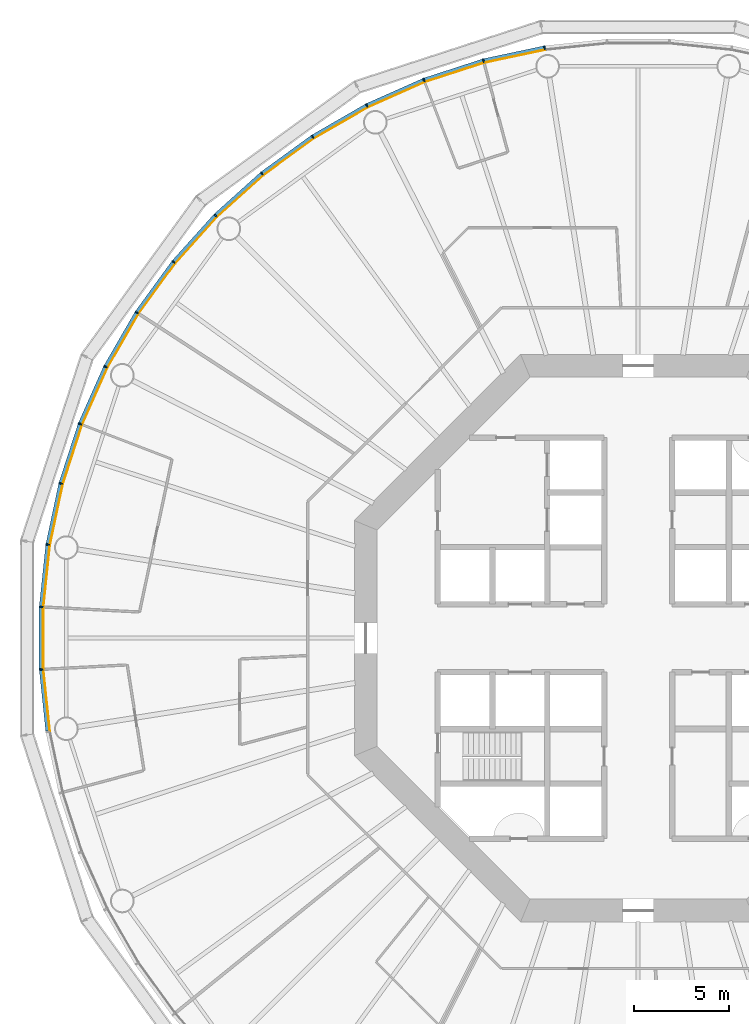
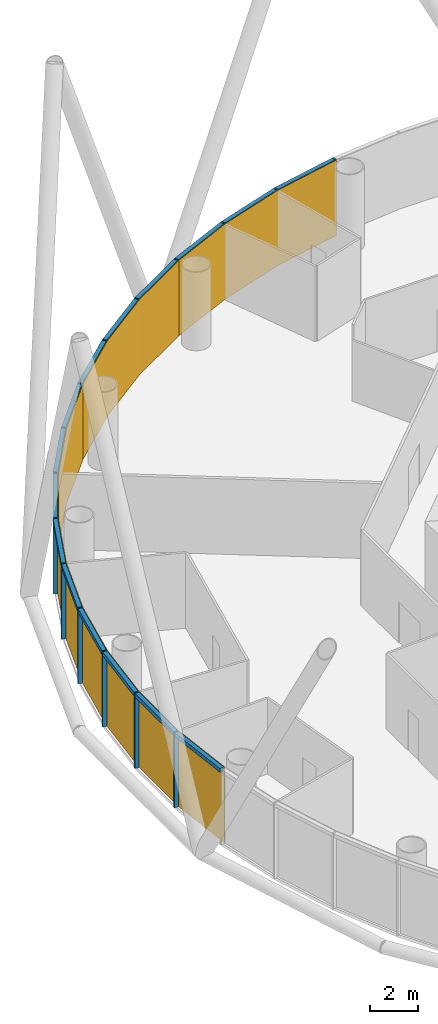
# One storey, part 10 of 13: 30 members, 5 curtain walls.
"""IFC4 building model written with IfcOpenShell, lengths in metres."""

from ifc_helpers import new_model, si_unit, direction, frame, origin, origin_2d, place, context, subcontext, project, spatial, polyline, rectangle, outline, extrude, material, layer, layer_set, material_profile, profile_set, type_object, element, aggregate, save


model = new_model("IFC4")

# Units and contexts
model_context = context("Model", 3, precision=1e-05, world=origin(), true_north=direction((0.0, 1.0)))
body_context = subcontext(model_context, "Body", "Model", "MODEL_VIEW")
ifc_project = project(units=[si_unit("LENGTHUNIT", "METRE"), si_unit("AREAUNIT", "SQUARE_METRE"), si_unit("VOLUMEUNIT", "CUBIC_METRE"), si_unit("PLANEANGLEUNIT", "RADIAN"), si_unit("MASSUNIT", "GRAM", prefix="KILO")], contexts=[model_context])

# Member
ifc_material_1 = material(Name="Anodised aluminium", Category="aluminium")
ifc_material_profile_1 = material_profile(ifc_material_1, rectangle(XDim=0.070068359375, YDim=0.199951171875, at=origin_2d()), Name="Mullion 70 x 200 mm anodised aluminium")
ifc_profile_set_1 = profile_set([ifc_material_profile_1], Name="Anodised aluminium")
member_type_1 = type_object("IfcMemberType", Name="Mullion 70 x 200 mm anodised aluminium", PredefinedType="MULLION", material=ifc_profile_set_1)
site_placement = place(None, origin())
building_placement = place(site_placement, origin())
storey_placement = place(building_placement, frame((0.0, 0.0, 96.0)))
member_1_placement = place(storey_placement, frame((85.056640625, 111.2109375, 0.0), z_axis=(0.0, 0.0, 1.0), x_axis=(-0.987688340595, -0.15643446504, 0.0)))
member_1 = element("IfcMember", 1, at=member_1_placement, type_object=member_type_1, Name="MULLION L21-15", PredefinedType="MULLION", context=body_context, shape_type="SweptSolid", body=[
    extrude(rectangle(XDim=0.070068359375, YDim=0.199951171875, at=origin_2d()), origin(), (0.0, 0.0, 1.0), 3.85009765625),
])

member_2_placement = place(storey_placement, frame((81.8212890625, 110.523193359375, 0.0), z_axis=(0.0, 0.0, 1.0), x_axis=(-0.965925826289, -0.258819045103, 0.0)))
member_2 = element("IfcMember", 2, at=member_2_placement, type_object=member_type_1, Name="MULLION L21-16", PredefinedType="MULLION", context=body_context, shape_type="SweptSolid", body=[
    extrude(rectangle(XDim=0.070068359375, YDim=0.199951171875, at=origin_2d()), origin(), (0.0, 0.0, 1.0), 3.85009765625),
])

member_3_placement = place(storey_placement, frame((78.675537109375, 109.501220703125, 0.0), z_axis=(0.0, 0.0, 1.0), x_axis=(-0.933580426497, -0.358367949545, 0.0)))
member_3 = element("IfcMember", 3, at=member_3_placement, type_object=member_type_1, Name="MULLION L21-17", PredefinedType="MULLION", context=body_context, shape_type="SweptSolid", body=[
    extrude(rectangle(XDim=0.070068359375, YDim=0.199951171875, at=origin_2d()), origin(), (0.0, 0.0, 1.0), 3.85009765625),
])

member_4_placement = place(storey_placement, frame((75.65380859375, 108.15576171875, 0.0), z_axis=(0.0, 0.0, 1.0), x_axis=(-0.891006524188, -0.45399049974, 0.0)))
member_4 = element("IfcMember", 4, at=member_4_placement, type_object=member_type_1, Name="MULLION L21-18", PredefinedType="MULLION", context=body_context, shape_type="SweptSolid", body=[
    extrude(rectangle(XDim=0.070068359375, YDim=0.199951171875, at=origin_2d()), origin(), (0.0, 0.0, 1.0), 3.85009765625),
])

member_5_placement = place(storey_placement, frame((72.789306640625, 106.501953125, 0.0), z_axis=(0.0, 0.0, 1.0), x_axis=(-0.838670567945, -0.544639035015, 0.0)))
member_5 = element("IfcMember", 5, at=member_5_placement, type_object=member_type_1, Name="MULLION L21-19", PredefinedType="MULLION", context=body_context, shape_type="SweptSolid", body=[
    extrude(rectangle(XDim=0.070068359375, YDim=0.199951171875, at=origin_2d()), origin(), (0.0, 0.0, 1.0), 3.85009765625),
])

member_6_placement = place(storey_placement, frame((70.113525390625, 104.557861328125, 0.0), z_axis=(0.0, 0.0, 1.0), x_axis=(-0.777145961457, -0.62932039105, 0.0)))
member_6 = element("IfcMember", 6, at=member_6_placement, type_object=member_type_1, Name="MULLION L21-20", PredefinedType="MULLION", context=body_context, shape_type="SweptSolid", body=[
    extrude(rectangle(XDim=0.070068359375, YDim=0.199951171875, at=origin_2d()), origin(), (0.0, 0.0, 1.0), 3.85009765625),
])

member_7_placement = place(storey_placement, frame((67.655517578125, 102.344482421875, 0.0), z_axis=(0.0, 0.0, 1.0), x_axis=(-0.707106781187, -0.707106781187, 0.0)))
member_7 = element("IfcMember", 7, at=member_7_placement, type_object=member_type_1, Name="MULLION L21-21", PredefinedType="MULLION", context=body_context, shape_type="SweptSolid", body=[
    extrude(rectangle(XDim=0.070068359375, YDim=0.199951171875, at=origin_2d()), origin(), (0.0, 0.0, 1.0), 3.85009765625),
])

member_8_placement = place(storey_placement, frame((65.442138671875, 99.886474609375, 0.0), z_axis=(0.0, 0.0, 1.0), x_axis=(-0.62932039105, -0.777145961457, 0.0)))
member_8 = element("IfcMember", 8, at=member_8_placement, type_object=member_type_1, Name="MULLION L21-22", PredefinedType="MULLION", context=body_context, shape_type="SweptSolid", body=[
    extrude(rectangle(XDim=0.070068359375, YDim=0.199951171875, at=origin_2d()), origin(), (0.0, 0.0, 1.0), 3.85009765625),
])

member_9_placement = place(storey_placement, frame((63.498046875, 97.210693359375, 0.0), z_axis=(0.0, 0.0, 1.0), x_axis=(-0.544639035015, -0.838670567945, 0.0)))
member_9 = element("IfcMember", 9, at=member_9_placement, type_object=member_type_1, Name="MULLION L21-23", PredefinedType="MULLION", context=body_context, shape_type="SweptSolid", body=[
    extrude(rectangle(XDim=0.070068359375, YDim=0.199951171875, at=origin_2d()), origin(), (0.0, 0.0, 1.0), 3.85009765625),
])

member_10_placement = place(storey_placement, frame((61.84423828125, 94.34619140625, 0.0), z_axis=(0.0, 0.0, 1.0), x_axis=(-0.45399049974, -0.891006524188, 0.0)))
member_10 = element("IfcMember", 10, at=member_10_placement, type_object=member_type_1, Name="MULLION L21-24", PredefinedType="MULLION", context=body_context, shape_type="SweptSolid", body=[
    extrude(rectangle(XDim=0.070068359375, YDim=0.199951171875, at=origin_2d()), origin(), (0.0, 0.0, 1.0), 3.85009765625),
])

member_11_placement = place(storey_placement, frame((60.498779296875, 91.324462890625, 0.0), z_axis=(0.0, 0.0, 1.0), x_axis=(-0.358367949545, -0.933580426497, 0.0)))
member_11 = element("IfcMember", 11, at=member_11_placement, type_object=member_type_1, Name="MULLION L21-25", PredefinedType="MULLION", context=body_context, shape_type="SweptSolid", body=[
    extrude(rectangle(XDim=0.070068359375, YDim=0.199951171875, at=origin_2d()), origin(), (0.0, 0.0, 1.0), 3.85009765625),
])

member_12_placement = place(storey_placement, frame((59.476806640625, 88.1787109375, 0.0), z_axis=(0.0, 0.0, 1.0), x_axis=(-0.258819045103, -0.965925826289, 0.0)))
member_12 = element("IfcMember", 12, at=member_12_placement, type_object=member_type_1, Name="MULLION L21-26", PredefinedType="MULLION", context=body_context, shape_type="SweptSolid", body=[
    extrude(rectangle(XDim=0.070068359375, YDim=0.199951171875, at=origin_2d()), origin(), (0.0, 0.0, 1.0), 3.85009765625),
])

member_13_placement = place(storey_placement, frame((58.7890625, 84.943359375, 0.0), z_axis=(0.0, 0.0, 1.0), x_axis=(-0.15643446504, -0.987688340595, 0.0)))
member_13 = element("IfcMember", 13, at=member_13_placement, type_object=member_type_1, Name="MULLION L21-27", PredefinedType="MULLION", context=body_context, shape_type="SweptSolid", body=[
    extrude(rectangle(XDim=0.070068359375, YDim=0.199951171875, at=origin_2d()), origin(), (0.0, 0.0, 1.0), 3.85009765625),
])

member_14_placement = place(storey_placement, frame((58.443359375, 81.65380859375, 0.0), z_axis=(0.0, 0.0, 1.0), x_axis=(-0.052335956243, -0.998629534755, 0.0)))
member_14 = element("IfcMember", 14, at=member_14_placement, type_object=member_type_1, Name="MULLION L21-28", PredefinedType="MULLION", context=body_context, shape_type="SweptSolid", body=[
    extrude(rectangle(XDim=0.070068359375, YDim=0.199951171875, at=origin_2d()), origin(), (0.0, 0.0, 1.0), 3.85009765625),
])

member_15_placement = place(storey_placement, frame((58.443359375, 78.34619140625, 0.0), z_axis=(0.0, 0.0, 1.0), x_axis=(0.052335956243, -0.998629534755, 0.0)))
member_15 = element("IfcMember", 15, at=member_15_placement, type_object=member_type_1, Name="MULLION L21-29", PredefinedType="MULLION", context=body_context, shape_type="SweptSolid", body=[
    extrude(rectangle(XDim=0.070068359375, YDim=0.199951171875, at=origin_2d()), origin(), (0.0, 0.0, 1.0), 3.85009765625),
])

ifc_material_2 = material(Name="Anodised aluminium", Category="aluminium")
ifc_material_profile_2 = material_profile(ifc_material_2, rectangle(XDim=0.199951171875, YDim=0.18994140625, at=origin_2d()), Name="Transom 190 x 200 mm anodised aluminium")
ifc_profile_set_2 = profile_set([ifc_material_profile_2], Name="Anodised aluminium")
member_type_2 = type_object("IfcMemberType", Name="Transom 190 x 200 mm anodised aluminium", PredefinedType="USERDEFINED", material=ifc_profile_set_2)
member_16_placement = place(storey_placement, frame((85.017333984375, 111.20263671875, 3.7548828125), z_axis=(-0.978153082647, -0.207885898771, 0.0), x_axis=(0.207885898771, -0.978153082647, 0.0)))
member_16 = element("IfcMember", 16, at=member_16_placement, type_object=member_type_2, Name="TRANSOM L21-15", ObjectType="TRANSOM", PredefinedType="USERDEFINED", context=body_context, shape_type="SweptSolid", body=[
    extrude(rectangle(XDim=0.199951171875, YDim=0.18994140625, at=origin_2d()), origin(), (0.0, 0.0, 1.0), 3.227294921875),
])

member_17_placement = place(storey_placement, frame((81.782958984375, 110.510986328125, 3.7548828125), z_axis=(-0.951046855117, -0.309046726844, 0.0), x_axis=(0.309046726844, -0.951046855117, 0.0)))
member_17 = element("IfcMember", 17, at=member_17_placement, type_object=member_type_2, Name="TRANSOM L21-16", ObjectType="TRANSOM", PredefinedType="USERDEFINED", context=body_context, shape_type="SweptSolid", body=[
    extrude(rectangle(XDim=0.199951171875, YDim=0.18994140625, at=origin_2d()), origin(), (0.0, 0.0, 1.0), 3.22705078125),
])

member_18_placement = place(storey_placement, frame((78.638671875, 109.48486328125, 3.7548828125), z_axis=(-0.913549291349, -0.406728032322, 0.0), x_axis=(0.406728032322, -0.913549291349, 0.0)))
member_18 = element("IfcMember", 18, at=member_18_placement, type_object=member_type_2, Name="TRANSOM L21-17", ObjectType="TRANSOM", PredefinedType="USERDEFINED", context=body_context, shape_type="SweptSolid", body=[
    extrude(rectangle(XDim=0.199951171875, YDim=0.18994140625, at=origin_2d()), origin(), (0.0, 0.0, 1.0), 3.22705078125),
])

member_19_placement = place(storey_placement, frame((75.618896484375, 108.1357421875, 3.7548828125), z_axis=(-0.866023062494, -0.500004055213, 0.0), x_axis=(0.500004055213, -0.866023062494, 0.0)))
member_19 = element("IfcMember", 19, at=member_19_placement, type_object=member_type_2, Name="TRANSOM L21-18", ObjectType="TRANSOM", PredefinedType="USERDEFINED", context=body_context, shape_type="SweptSolid", body=[
    extrude(rectangle(XDim=0.199951171875, YDim=0.18994140625, at=origin_2d()), origin(), (0.0, 0.0, 1.0), 3.22705078125),
])

member_20_placement = place(storey_placement, frame((72.7568359375, 106.478515625, 3.7548828125), z_axis=(-0.809004252048, -0.587802790201, 0.0), x_axis=(0.587802790201, -0.809004252048, 0.0)))
member_20 = element("IfcMember", 20, at=member_20_placement, type_object=member_type_2, Name="TRANSOM L21-19", ObjectType="TRANSOM", PredefinedType="USERDEFINED", context=body_context, shape_type="SweptSolid", body=[
    extrude(rectangle(XDim=0.199951171875, YDim=0.18994140625, at=origin_2d()), origin(), (0.0, 0.0, 1.0), 3.227294921875),
])

member_21_placement = place(storey_placement, frame((70.08349609375, 104.531005859375, 3.7548828125), z_axis=(-0.743132370743, -0.669144438484, 0.0), x_axis=(0.669144438484, -0.743132370743, 0.0)))
member_21 = element("IfcMember", 21, at=member_21_placement, type_object=member_type_2, Name="TRANSOM L21-20", ObjectType="TRANSOM", PredefinedType="USERDEFINED", context=body_context, shape_type="SweptSolid", body=[
    extrude(rectangle(XDim=0.199951171875, YDim=0.18994140625, at=origin_2d()), origin(), (0.0, 0.0, 1.0), 3.22705078125),
])

member_22_placement = place(storey_placement, frame((67.62841796875, 102.314697265625, 3.7548828125), z_axis=(-0.669144438484, -0.743132370743, 0.0), x_axis=(0.743132370743, -0.669144438484, 0.0)))
member_22 = element("IfcMember", 22, at=member_22_placement, type_object=member_type_2, Name="TRANSOM L21-21", ObjectType="TRANSOM", PredefinedType="USERDEFINED", context=body_context, shape_type="SweptSolid", body=[
    extrude(rectangle(XDim=0.199951171875, YDim=0.18994140625, at=origin_2d()), origin(), (0.0, 0.0, 1.0), 3.22705078125),
])

member_23_placement = place(storey_placement, frame((65.41845703125, 99.85400390625, 3.7548828125), z_axis=(-0.587802790201, -0.809004252048, 0.0), x_axis=(0.809004252048, -0.587802790201, 0.0)))
member_23 = element("IfcMember", 23, at=member_23_placement, type_object=member_type_2, Name="TRANSOM L21-22", ObjectType="TRANSOM", PredefinedType="USERDEFINED", context=body_context, shape_type="SweptSolid", body=[
    extrude(rectangle(XDim=0.199951171875, YDim=0.18994140625, at=origin_2d()), origin(), (0.0, 0.0, 1.0), 3.227294921875),
])

member_24_placement = place(storey_placement, frame((63.477783203125, 97.17578125, 3.7548828125), z_axis=(-0.500004055213, -0.866023062494, 0.0), x_axis=(0.866023062494, -0.500004055213, 0.0)))
member_24 = element("IfcMember", 24, at=member_24_placement, type_object=member_type_2, Name="TRANSOM L21-23", ObjectType="TRANSOM", PredefinedType="USERDEFINED", context=body_context, shape_type="SweptSolid", body=[
    extrude(rectangle(XDim=0.199951171875, YDim=0.18994140625, at=origin_2d()), origin(), (0.0, 0.0, 1.0), 3.22705078125),
])

member_25_placement = place(storey_placement, frame((61.82763671875, 94.309326171875, 3.7548828125), z_axis=(-0.406728032322, -0.913549291349, 0.0), x_axis=(0.913549291349, -0.406728032322, 0.0)))
member_25 = element("IfcMember", 25, at=member_25_placement, type_object=member_type_2, Name="TRANSOM L21-24", ObjectType="TRANSOM", PredefinedType="USERDEFINED", context=body_context, shape_type="SweptSolid", body=[
    extrude(rectangle(XDim=0.199951171875, YDim=0.18994140625, at=origin_2d()), origin(), (0.0, 0.0, 1.0), 3.22705078125),
])

member_26_placement = place(storey_placement, frame((60.486328125, 91.2861328125, 3.7548828125), z_axis=(-0.309046726844, -0.951046855117, 0.0), x_axis=(0.951046855117, -0.309046726844, 0.0)))
member_26 = element("IfcMember", 26, at=member_26_placement, type_object=member_type_2, Name="TRANSOM L21-25", ObjectType="TRANSOM", PredefinedType="USERDEFINED", context=body_context, shape_type="SweptSolid", body=[
    extrude(rectangle(XDim=0.199951171875, YDim=0.18994140625, at=origin_2d()), origin(), (0.0, 0.0, 1.0), 3.22705078125),
])

member_27_placement = place(storey_placement, frame((59.46826171875, 88.139404296875, 3.7548828125), z_axis=(-0.207885898771, -0.978153082647, 0.0), x_axis=(0.978153082647, -0.207885898771, 0.0)))
member_27 = element("IfcMember", 27, at=member_27_placement, type_object=member_type_2, Name="TRANSOM L21-26", ObjectType="TRANSOM", PredefinedType="USERDEFINED", context=body_context, shape_type="SweptSolid", body=[
    extrude(rectangle(XDim=0.199951171875, YDim=0.18994140625, at=origin_2d()), origin(), (0.0, 0.0, 1.0), 3.227294921875),
])

member_28_placement = place(storey_placement, frame((58.78466796875, 84.9033203125, 3.7548828125), z_axis=(-0.104550890115, -0.994519537956, 0.0), x_axis=(0.994519537956, -0.104550890115, 0.0)))
member_28 = element("IfcMember", 28, at=member_28_placement, type_object=member_type_2, Name="TRANSOM L21-27", ObjectType="TRANSOM", PredefinedType="USERDEFINED", context=body_context, shape_type="SweptSolid", body=[
    extrude(rectangle(XDim=0.199951171875, YDim=0.18994140625, at=origin_2d()), origin(), (0.0, 0.0, 1.0), 3.22705078125),
])

member_29_placement = place(storey_placement, frame((58.443115234375, 81.613525390625, 3.7548828125), z_axis=(0.0, -1.0, 0.0), x_axis=(1.0, 0.0, 0.0)))
member_29 = element("IfcMember", 29, at=member_29_placement, type_object=member_type_2, Name="TRANSOM L21-28", ObjectType="TRANSOM", PredefinedType="USERDEFINED", context=body_context, shape_type="SweptSolid", body=[
    extrude(rectangle(XDim=0.199951171875, YDim=0.18994140625, at=origin_2d()), origin(), (0.0, 0.0, 1.0), 3.22705078125),
])

member_30_placement = place(storey_placement, frame((58.447265625, 78.30615234375, 3.7548828125), z_axis=(0.104550890115, -0.994519537956, 0.0), x_axis=(0.994519537956, 0.104550890115, 0.0)))
member_30 = element("IfcMember", 30, at=member_30_placement, type_object=member_type_2, Name="TRANSOM L21-29", ObjectType="TRANSOM", PredefinedType="USERDEFINED", context=body_context, shape_type="SweptSolid", body=[
    extrude(rectangle(XDim=0.199951171875, YDim=0.18994140625, at=origin_2d()), origin(), (0.0, 0.0, 1.0), 3.22705078125),
])

# Site, building, storey
site = spatial("IfcSite", under=ifc_project, at=site_placement, CompositionType="ELEMENT")
building = spatial("IfcBuilding", under=site, at=building_placement, Name="Entoto Ring Tower", CompositionType="ELEMENT")
storey = spatial("IfcBuildingStorey", under=building, at=storey_placement, Name="L21", CompositionType="ELEMENT", Elevation=96.0)

# Curtain wall
ifc_material_3 = material(Name="Clear low-iron glass", Category="glass")
ifc_layer = layer(ifc_material_3, 0.035888671875)
ifc_layer_set = layer_set([ifc_layer], Name="Clear low-iron glass")
curtain_wall_type = type_object("IfcCurtainWallType", Name="Curtain wall system CW2 glazing 36 mm", PredefinedType="NOTDEFINED", material=ifc_layer_set)
curtain_wall_1_placement = place(storey_placement, origin())
curtain_wall_1 = element("IfcCurtainWall", 31, at=curtain_wall_1_placement, inside=storey, type_object=curtain_wall_type, Name="CW2 L21-06", PredefinedType="NOTDEFINED", context=body_context, shape_type="SweptSolid", body=[
    extrude(outline(polyline([(85.072265625, 111.1123046875), (81.84716796875, 110.4267578125), (78.71142578125, 109.40771484375), (75.69921875, 108.066650390625), (75.715576171875, 108.03466796875), (78.724365234375, 109.3740234375), (81.8564453125, 110.391845703125), (85.077880859375, 111.07666015625), (85.072265625, 111.1123046875)])), origin(), (0.0, 0.0, 1.0), 3.85009765625),
])

aggregate(curtain_wall_1, [member_1, member_2, member_3, member_16, member_17, member_18])

curtain_wall_2_placement = place(storey_placement, origin())
curtain_wall_2 = element("IfcCurtainWall", 32, at=curtain_wall_2_placement, inside=storey, type_object=curtain_wall_type, Name="CW2 L21-07", PredefinedType="NOTDEFINED", context=body_context, shape_type="SweptSolid", body=[
    extrude(outline(polyline([(75.69921875, 108.066650390625), (72.84375, 106.418212890625), (70.176513671875, 104.47998046875), (67.72607421875, 102.27392578125), (67.751708984375, 102.248291015625), (70.198974609375, 104.4521484375), (72.863525390625, 106.387939453125), (75.715576171875, 108.03466796875), (75.69921875, 108.066650390625)])), origin(), (0.0, 0.0, 1.0), 3.85009765625),
])

aggregate(curtain_wall_2, [member_4, member_5, member_6, member_19, member_20, member_21])

curtain_wall_3_placement = place(storey_placement, origin())
curtain_wall_3 = element("IfcCurtainWall", 33, at=curtain_wall_3_placement, inside=storey, type_object=curtain_wall_type, Name="CW2 L21-08", PredefinedType="NOTDEFINED", context=body_context, shape_type="SweptSolid", body=[
    extrude(outline(polyline([(67.72607421875, 102.27392578125), (65.52001953125, 99.823486328125), (63.581787109375, 97.15625), (61.933349609375, 94.30078125), (61.96533203125, 94.284423828125), (63.612060546875, 97.136474609375), (65.5478515625, 99.801025390625), (67.751708984375, 102.248291015625), (67.72607421875, 102.27392578125)])), origin(), (0.0, 0.0, 1.0), 3.85009765625),
])

aggregate(curtain_wall_3, [member_7, member_8, member_9, member_22, member_23, member_24])

curtain_wall_4_placement = place(storey_placement, origin())
curtain_wall_4 = element("IfcCurtainWall", 34, at=curtain_wall_4_placement, inside=storey, type_object=curtain_wall_type, Name="CW2 L21-09", PredefinedType="NOTDEFINED", context=body_context, shape_type="SweptSolid", body=[
    extrude(outline(polyline([(61.933349609375, 94.30078125), (60.59228515625, 91.28857421875), (59.5732421875, 88.15283203125), (58.8876953125, 84.927734375), (58.92333984375, 84.922119140625), (59.608154296875, 88.1435546875), (60.6259765625, 91.275634765625), (61.96533203125, 94.284423828125), (61.933349609375, 94.30078125)])), origin(), (0.0, 0.0, 1.0), 3.85009765625),
])

aggregate(curtain_wall_4, [member_10, member_11, member_12, member_25, member_26, member_27])

curtain_wall_5_placement = place(storey_placement, origin())
curtain_wall_5 = element("IfcCurtainWall", 35, at=curtain_wall_5_placement, inside=storey, type_object=curtain_wall_type, Name="CW2 L21-10", PredefinedType="NOTDEFINED", context=body_context, shape_type="SweptSolid", body=[
    extrude(outline(polyline([(58.8876953125, 84.927734375), (58.543212890625, 81.648681640625), (58.543212890625, 78.351318359375), (58.8876953125, 75.072265625), (58.92333984375, 75.077880859375), (58.5791015625, 78.353271484375), (58.5791015625, 81.646728515625), (58.92333984375, 84.922119140625), (58.8876953125, 84.927734375)])), origin(), (0.0, 0.0, 1.0), 3.85009765625),
])

aggregate(curtain_wall_5, [member_13, member_14, member_15, member_28, member_29, member_30])

save(model, "model.ifc")
